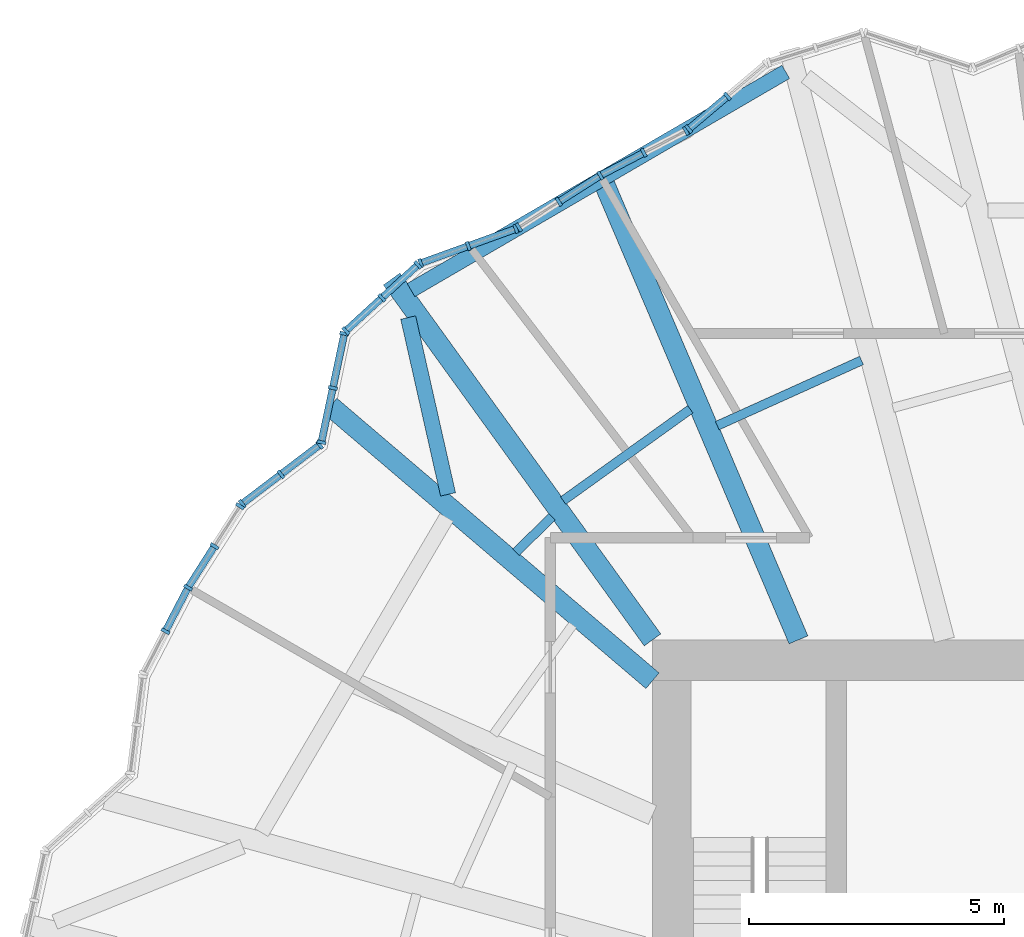
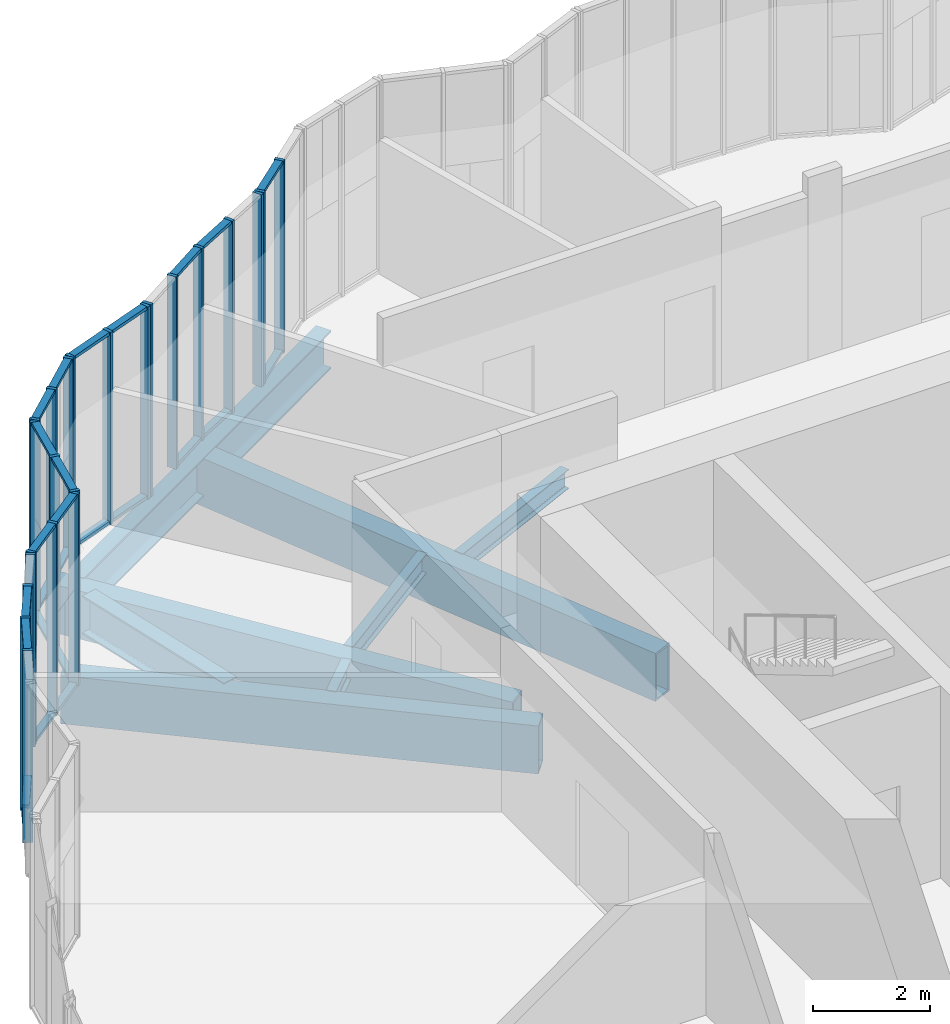
# One storey, part 7 of 23: 49 members, 8 beams, 9 elements without a shape of their own.
"""IFC4 building model written with IfcOpenShell, lengths in metres."""

from ifc_helpers import new_model, si_unit, direction, frame, origin, origin_2d, place, context, subcontext, project, spatial, rectangle, hollow_rectangle, i_section, extrude, material, material_profile, profile_set, type_object, element, aggregate, save


model = new_model("IFC4")

# Units and contexts
model_context = context("Model", 3, precision=1e-05, world=origin(), true_north=direction((0.0, 1.0)))
body_context = subcontext(model_context, "Body", "Model", "MODEL_VIEW")
ifc_project = project(units=[si_unit("LENGTHUNIT", "METRE"), si_unit("AREAUNIT", "SQUARE_METRE"), si_unit("VOLUMEUNIT", "CUBIC_METRE"), si_unit("PLANEANGLEUNIT", "RADIAN"), si_unit("MASSUNIT", "GRAM", prefix="KILO")], contexts=[model_context])

# Site, building, storey
site_placement = place(None, origin())
site = spatial("IfcSite", under=ifc_project, at=site_placement, CompositionType="ELEMENT")
building_placement = place(site_placement, origin())
building = spatial("IfcBuilding", under=site, at=building_placement, Name="Golbaran Civic Tower", CompositionType="ELEMENT")
storey_placement = place(building_placement, frame((0.0, 0.0, 33.0)))
storey = spatial("IfcBuildingStorey", under=building, at=storey_placement, Name="L07", CompositionType="ELEMENT", Elevation=33.0)

# Beams
ifc_material_1 = material(Name="Steel S355", Category="steel")
ifc_material_profile_1 = material_profile(ifc_material_1, i_section(OverallWidth=0.300048828125, OverallDepth=0.800048828125, WebThickness=0.017578125, FlangeThickness=0.032958984375, FilletRadius=0.030029296875, at=origin_2d()), Name="HEB 800")
ifc_profile_set_1 = profile_set([ifc_material_profile_1], Name="Steel S355")
beam_type_1 = type_object("IfcBeamType", Name="EDGE BEAM HEB 800", PredefinedType="BEAM", material=ifc_profile_set_1)
beam_1_placement = place(storey_placement, frame((-7.3916015625, 21.119873046875, -0.60009765625), z_axis=(-0.864129155703, -0.503270108653, 0.0), x_axis=(0.503270108653, -0.864129155703, 0.0)))
element("IfcBeam", 1, at=beam_1_placement, inside=storey, type_object=beam_type_1, Name="Edge beam 108.64 L07", PredefinedType="BEAM", context=body_context, shape_type="SweptSolid", body=[
    extrude(i_section(OverallWidth=0.300048828125, OverallDepth=0.800048828125, WebThickness=0.017578125, FlangeThickness=0.032958984375, FilletRadius=0.030029296875, at=origin_2d()), origin(), (0.0, 0.0, 1.0), 8.489501953125),
])
beam_2_placement = place(storey_placement, frame((-14.783203125, 16.31005859375, -0.60009765625), z_axis=(0.219887083462, -0.975525330541, 0.0), x_axis=(0.975525330541, 0.219887083462, 0.0)))
element("IfcBeam", 2, at=beam_2_placement, inside=storey, type_object=beam_type_1, Name="Edge beam 131.36 L07", PredefinedType="BEAM", context=body_context, shape_type="SweptSolid", body=[
    extrude(i_section(OverallWidth=0.300048828125, OverallDepth=0.800048828125, WebThickness=0.017578125, FlangeThickness=0.032958984375, FilletRadius=0.030029296875, at=origin_2d()), origin(), (0.0, 0.0, 1.0), 3.548583984375),
])
ifc_material_profile_2 = material_profile(ifc_material_1, i_section(OverallWidth=0.179931640625, OverallDepth=0.39990234375, WebThickness=0.008544921875, FlangeThickness=0.013427734375, FilletRadius=0.02099609375, at=origin_2d()), Name="IPE 400")
ifc_profile_set_2 = profile_set([ifc_material_profile_2], Name="Steel S355")
beam_type_2 = type_object("IfcBeamType", Name="FLOOR INFILL BEAM IPE 400", PredefinedType="BEAM", material=ifc_profile_set_2)
beam_3_placement = place(storey_placement, frame((-5.908203125, 15.47021484375, -0.39990234375), z_axis=(-0.91125999693, -0.411831540798, 0.0), x_axis=(0.411831540798, -0.91125999693, 0.0)))
element("IfcBeam", 3, at=beam_3_placement, inside=storey, type_object=beam_type_2, Name="Infill beam 114.32 L07", PredefinedType="BEAM", context=body_context, shape_type="SweptSolid", body=[
    extrude(i_section(OverallWidth=0.179931640625, OverallDepth=0.39990234375, WebThickness=0.008544921875, FlangeThickness=0.013427734375, FilletRadius=0.02099609375, at=origin_2d()), origin(), (0.0, 0.0, 1.0), 3.099365234375),
])
beam_4_placement = place(storey_placement, frame((-9.260009765625, 14.514404296875, -0.39990234375), z_axis=(-0.812266627807, -0.583286315073, 0.0), x_axis=(0.583286315073, -0.812266627807, 0.0)))
element("IfcBeam", 4, at=beam_4_placement, inside=storey, type_object=beam_type_2, Name="Infill beam 125.68 L07", PredefinedType="BEAM", context=body_context, shape_type="SweptSolid", body=[
    extrude(i_section(OverallWidth=0.179931640625, OverallDepth=0.39990234375, WebThickness=0.008544921875, FlangeThickness=0.013427734375, FilletRadius=0.02099609375, at=origin_2d()), origin(), (0.0, 0.0, 1.0), 3.064208984375),
])
beam_5_placement = place(storey_placement, frame((-11.966796875, 12.413818359375, -0.39990234375), z_axis=(-0.70943741161, -0.704768443539, 0.0), x_axis=(0.704768443539, -0.70943741161, 0.0)))
element("IfcBeam", 5, at=beam_5_placement, inside=storey, type_object=beam_type_2, Name="Infill beam 134.81 L07", PredefinedType="BEAM", context=body_context, shape_type="SweptSolid", body=[
    extrude(i_section(OverallWidth=0.179931640625, OverallDepth=0.39990234375, WebThickness=0.008544921875, FlangeThickness=0.013427734375, FilletRadius=0.02099609375, at=origin_2d()), origin(), (0.0, 0.0, 1.0), 0.993408203125),
])

# Curtain wall, members
ifc_material_2 = material(Name="Aluminium and glass", Category="aluminium")
curtain_wall_type = type_object("IfcCurtainWallType", Name="INNER SKIN CURTAIN WALL", PredefinedType="NOTDEFINED", material=ifc_material_2)
curtain_wall_1_placement = place(storey_placement, origin())
curtain_wall_1 = element("IfcCurtainWall", 6, at=curtain_wall_1_placement, inside=storey, type_object=curtain_wall_type, Name="Inner skin L07 facet 23 CW1", ObjectType="INNER SKIN", PredefinedType="USERDEFINED")
ifc_material_3 = material(Name="Aluminium", Category="aluminium")
ifc_material_profile_3 = material_profile(ifc_material_3, rectangle(XDim=0.179931640625, YDim=0.06494140625, at=origin_2d()), Name="INNER SKIN CURTAIN WALL MULLION")
ifc_profile_set_3 = profile_set([ifc_material_profile_3], Name="Aluminium")
member_type_1 = type_object("IfcMemberType", Name="INNER SKIN CURTAIN WALL MULLION", PredefinedType="MULLION", material=ifc_profile_set_3)
member_1_placement = place(storey_placement, frame((-8.5341796875, 20.638916015625, 0.0), z_axis=(0.0, 0.0, 1.0), x_axis=(0.644395385113, -0.764692479135, 0.0)))
member_1 = element("IfcMember", 7, at=member_1_placement, type_object=member_type_1, Name="CW1 mullion 2", PredefinedType="MULLION", context=body_context, shape_type="SweptSolid", body=[
    extrude(rectangle(XDim=0.179931640625, YDim=0.06494140625, at=origin_2d()), origin(), (0.0, 0.0, 1.0), 4.0),
])
member_2_placement = place(storey_placement, frame((-9.291748046875, 20.00048828125, 0.0), z_axis=(0.0, 0.0, 1.0), x_axis=(0.644395385113, -0.764692479135, 0.0)))
member_2 = element("IfcMember", 8, at=member_2_placement, type_object=member_type_1, Name="CW1 mullion 3", PredefinedType="MULLION", context=body_context, shape_type="SweptSolid", body=[
    extrude(rectangle(XDim=0.179931640625, YDim=0.06494140625, at=origin_2d()), origin(), (0.0, 0.0, 1.0), 4.0),
])

curtain_wall_2_placement = place(storey_placement, origin())
curtain_wall_2 = element("IfcCurtainWall", 9, at=curtain_wall_2_placement, inside=storey, type_object=curtain_wall_type, Name="Inner skin L07 facet 24 CW1", ObjectType="INNER SKIN", PredefinedType="USERDEFINED")
member_3_placement = place(storey_placement, frame((-9.345458984375, 19.964599609375, 0.0), z_axis=(0.0, 0.0, 1.0), x_axis=(0.461748613297, -0.887010833146, 0.0)))
member_3 = element("IfcMember", 10, at=member_3_placement, type_object=member_type_1, Name="CW1 mullion 1", PredefinedType="MULLION", context=body_context, shape_type="SweptSolid", body=[
    extrude(rectangle(XDim=0.179931640625, YDim=0.06494140625, at=origin_2d()), origin(), (0.0, 0.0, 1.0), 4.0),
])
member_4_placement = place(storey_placement, frame((-10.169677734375, 19.53564453125, 0.0), z_axis=(0.0, 0.0, 1.0), x_axis=(0.461748613297, -0.887010833146, 0.0)))
member_4 = element("IfcMember", 11, at=member_4_placement, type_object=member_type_1, Name="CW1 mullion 2", PredefinedType="MULLION", context=body_context, shape_type="SweptSolid", body=[
    extrude(rectangle(XDim=0.179931640625, YDim=0.06494140625, at=origin_2d()), origin(), (0.0, 0.0, 1.0), 4.0),
])
member_5_placement = place(storey_placement, frame((-11.0224609375, 19.091552734375, 0.0), z_axis=(0.0, 0.0, 1.0), x_axis=(0.499999999955, -0.866025403811, 0.0)))
member_5 = element("IfcMember", 12, at=member_5_placement, type_object=member_type_1, Name="CW1 mullion 3", PredefinedType="MULLION", context=body_context, shape_type="SweptSolid", body=[
    extrude(rectangle(XDim=0.179931640625, YDim=0.06494140625, at=origin_2d()), origin(), (0.0, 0.0, 1.0), 4.0),
])

curtain_wall_3_placement = place(storey_placement, origin())
curtain_wall_3 = element("IfcCurtainWall", 13, at=curtain_wall_3_placement, inside=storey, type_object=curtain_wall_type, Name="Inner skin L07 facet 25 CW1", ObjectType="INNER SKIN", PredefinedType="USERDEFINED")
member_6_placement = place(storey_placement, frame((-11.83349609375, 18.574951171875, 0.0), z_axis=(0.0, 0.0, 1.0), x_axis=(0.537299608406, -0.843391445775, 0.0)))
member_6 = element("IfcMember", 14, at=member_6_placement, type_object=member_type_1, Name="CW1 mullion 2", PredefinedType="MULLION", context=body_context, shape_type="SweptSolid", body=[
    extrude(rectangle(XDim=0.179931640625, YDim=0.06494140625, at=origin_2d()), origin(), (0.0, 0.0, 1.0), 4.0),
])
member_7_placement = place(storey_placement, frame((-12.6171875, 18.07568359375, 0.0), z_axis=(0.0, 0.0, 1.0), x_axis=(0.537299608406, -0.843391445775, 0.0)))
member_7 = element("IfcMember", 15, at=member_7_placement, type_object=member_type_1, Name="CW1 mullion 3", PredefinedType="MULLION", context=body_context, shape_type="SweptSolid", body=[
    extrude(rectangle(XDim=0.179931640625, YDim=0.06494140625, at=origin_2d()), origin(), (0.0, 0.0, 1.0), 4.0),
])

curtain_wall_4_placement = place(storey_placement, origin())
curtain_wall_4 = element("IfcCurtainWall", 16, at=curtain_wall_4_placement, inside=storey, type_object=curtain_wall_type, Name="Inner skin L07 facet 26 CW1", ObjectType="INNER SKIN", PredefinedType="USERDEFINED")
member_8_placement = place(storey_placement, frame((-12.675048828125, 18.047119140625, 0.0), z_axis=(0.0, 0.0, 1.0), x_axis=(0.340045420228, -0.940409013239, 0.0)))
member_8 = element("IfcMember", 17, at=member_8_placement, type_object=member_type_1, Name="CW1 mullion 1", PredefinedType="MULLION", context=body_context, shape_type="SweptSolid", body=[
    extrude(rectangle(XDim=0.179931640625, YDim=0.06494140625, at=origin_2d()), origin(), (0.0, 0.0, 1.0), 4.0),
])
member_9_placement = place(storey_placement, frame((-13.606689453125, 17.710205078125, 0.0), z_axis=(0.0, 0.0, 1.0), x_axis=(0.340045420228, -0.940409013239, 0.0)))
member_9 = element("IfcMember", 18, at=member_9_placement, type_object=member_type_1, Name="CW1 mullion 2", PredefinedType="MULLION", context=body_context, shape_type="SweptSolid", body=[
    extrude(rectangle(XDim=0.179931640625, YDim=0.06494140625, at=origin_2d()), origin(), (0.0, 0.0, 1.0), 4.0),
])
member_10_placement = place(storey_placement, frame((-14.538330078125, 17.37353515625, 0.0), z_axis=(0.0, 0.0, 1.0), x_axis=(0.340045420228, -0.940409013239, 0.0)))
member_10 = element("IfcMember", 19, at=member_10_placement, type_object=member_type_1, Name="CW1 mullion 3", PredefinedType="MULLION", context=body_context, shape_type="SweptSolid", body=[
    extrude(rectangle(XDim=0.179931640625, YDim=0.06494140625, at=origin_2d()), origin(), (0.0, 0.0, 1.0), 4.0),
])

curtain_wall_5_placement = place(storey_placement, origin())
curtain_wall_5 = element("IfcCurtainWall", 20, at=curtain_wall_5_placement, inside=storey, type_object=curtain_wall_type, Name="Inner skin L07 facet 27 CW1", ObjectType="INNER SKIN", PredefinedType="USERDEFINED")
member_11_placement = place(storey_placement, frame((-14.5927734375, 17.34033203125, 0.0), z_axis=(0.0, 0.0, 1.0), x_axis=(0.675590207436, -0.737277336975, 0.0)))
member_11 = element("IfcMember", 21, at=member_11_placement, type_object=member_type_1, Name="CW1 mullion 1", PredefinedType="MULLION", context=body_context, shape_type="SweptSolid", body=[
    extrude(rectangle(XDim=0.179931640625, YDim=0.06494140625, at=origin_2d()), origin(), (0.0, 0.0, 1.0), 4.0),
])
member_12_placement = place(storey_placement, frame((-15.297607421875, 16.694580078125, 0.0), z_axis=(0.0, 0.0, 1.0), x_axis=(0.675590207436, -0.737277336975, 0.0)))
member_12 = element("IfcMember", 22, at=member_12_placement, type_object=member_type_1, Name="CW1 mullion 2", PredefinedType="MULLION", context=body_context, shape_type="SweptSolid", body=[
    extrude(rectangle(XDim=0.179931640625, YDim=0.06494140625, at=origin_2d()), origin(), (0.0, 0.0, 1.0), 4.0),
])
member_13_placement = place(storey_placement, frame((-16.002685546875, 16.048583984375, 0.0), z_axis=(0.0, 0.0, 1.0), x_axis=(0.675590207436, -0.737277336975, 0.0)))
member_13 = element("IfcMember", 23, at=member_13_placement, type_object=member_type_1, Name="CW1 mullion 3", PredefinedType="MULLION", context=body_context, shape_type="SweptSolid", body=[
    extrude(rectangle(XDim=0.179931640625, YDim=0.06494140625, at=origin_2d()), origin(), (0.0, 0.0, 1.0), 4.0),
])

curtain_wall_6_placement = place(storey_placement, origin())
curtain_wall_6 = element("IfcCurtainWall", 24, at=curtain_wall_6_placement, inside=storey, type_object=curtain_wall_type, Name="Inner skin L07 facet 28 CW1", ObjectType="INNER SKIN", PredefinedType="USERDEFINED")
member_14_placement = place(storey_placement, frame((-16.033203125, 15.994873046875, 0.0), z_axis=(0.0, 0.0, 1.0), x_axis=(0.978345790501, -0.206977086194, 0.0)))
member_14 = element("IfcMember", 25, at=member_14_placement, type_object=member_type_1, Name="CW1 mullion 1", PredefinedType="MULLION", context=body_context, shape_type="SweptSolid", body=[
    extrude(rectangle(XDim=0.179931640625, YDim=0.06494140625, at=origin_2d()), origin(), (0.0, 0.0, 1.0), 4.0),
])
member_15_placement = place(storey_placement, frame((-16.25830078125, 14.931640625, 0.0), z_axis=(0.0, 0.0, 1.0), x_axis=(0.978345790501, -0.206977086194, 0.0)))
member_15 = element("IfcMember", 26, at=member_15_placement, type_object=member_type_1, Name="CW1 mullion 2", PredefinedType="MULLION", context=body_context, shape_type="SweptSolid", body=[
    extrude(rectangle(XDim=0.179931640625, YDim=0.06494140625, at=origin_2d()), origin(), (0.0, 0.0, 1.0), 4.0),
])
member_16_placement = place(storey_placement, frame((-16.483154296875, 13.868408203125, 0.0), z_axis=(0.0, 0.0, 1.0), x_axis=(0.978345790501, -0.206977086194, 0.0)))
member_16 = element("IfcMember", 27, at=member_16_placement, type_object=member_type_1, Name="CW1 mullion 3", PredefinedType="MULLION", context=body_context, shape_type="SweptSolid", body=[
    extrude(rectangle(XDim=0.179931640625, YDim=0.06494140625, at=origin_2d()), origin(), (0.0, 0.0, 1.0), 4.0),
])

curtain_wall_7_placement = place(storey_placement, origin())
curtain_wall_7 = element("IfcCurtainWall", 28, at=curtain_wall_7_placement, inside=storey, type_object=curtain_wall_type, Name="Inner skin L07 facet 29 CW1", ObjectType="INNER SKIN", PredefinedType="USERDEFINED")
member_17_placement = place(storey_placement, frame((-16.515625, 13.81689453125, 0.0), z_axis=(0.0, 0.0, 1.0), x_axis=(0.605153926324, -0.796108488496, 0.0)))
member_17 = element("IfcMember", 29, at=member_17_placement, type_object=member_type_1, Name="CW1 mullion 1", PredefinedType="MULLION", context=body_context, shape_type="SweptSolid", body=[
    extrude(rectangle(XDim=0.179931640625, YDim=0.06494140625, at=origin_2d()), origin(), (0.0, 0.0, 1.0), 4.0),
])
member_18_placement = place(storey_placement, frame((-17.27392578125, 13.240478515625, 0.0), z_axis=(0.0, 0.0, 1.0), x_axis=(0.605153926324, -0.796108488496, 0.0)))
member_18 = element("IfcMember", 30, at=member_18_placement, type_object=member_type_1, Name="CW1 mullion 2", PredefinedType="MULLION", context=body_context, shape_type="SweptSolid", body=[
    extrude(rectangle(XDim=0.179931640625, YDim=0.06494140625, at=origin_2d()), origin(), (0.0, 0.0, 1.0), 4.0),
])
member_19_placement = place(storey_placement, frame((-18.0322265625, 12.6640625, 0.0), z_axis=(0.0, 0.0, 1.0), x_axis=(0.605153926324, -0.796108488496, 0.0)))
member_19 = element("IfcMember", 31, at=member_19_placement, type_object=member_type_1, Name="CW1 mullion 3", PredefinedType="MULLION", context=body_context, shape_type="SweptSolid", body=[
    extrude(rectangle(XDim=0.179931640625, YDim=0.06494140625, at=origin_2d()), origin(), (0.0, 0.0, 1.0), 4.0),
])

curtain_wall_8_placement = place(storey_placement, origin())
curtain_wall_8 = element("IfcCurtainWall", 32, at=curtain_wall_8_placement, inside=storey, type_object=curtain_wall_type, Name="Inner skin L07 facet 30 CW1", ObjectType="INNER SKIN", PredefinedType="USERDEFINED")
member_20_placement = place(storey_placement, frame((-18.07568359375, 12.6171875, 0.0), z_axis=(0.0, 0.0, 1.0), x_axis=(0.843391445775, -0.537299608406, 0.0)))
member_20 = element("IfcMember", 33, at=member_20_placement, type_object=member_type_1, Name="CW1 mullion 1", PredefinedType="MULLION", context=body_context, shape_type="SweptSolid", body=[
    extrude(rectangle(XDim=0.179931640625, YDim=0.06494140625, at=origin_2d()), origin(), (0.0, 0.0, 1.0), 4.0),
])
member_21_placement = place(storey_placement, frame((-18.574951171875, 11.83349609375, 0.0), z_axis=(0.0, 0.0, 1.0), x_axis=(0.843391445775, -0.537299608406, 0.0)))
member_21 = element("IfcMember", 34, at=member_21_placement, type_object=member_type_1, Name="CW1 mullion 2", PredefinedType="MULLION", context=body_context, shape_type="SweptSolid", body=[
    extrude(rectangle(XDim=0.179931640625, YDim=0.06494140625, at=origin_2d()), origin(), (0.0, 0.0, 1.0), 4.0),
])
member_22_placement = place(storey_placement, frame((-19.091552734375, 11.0224609375, 0.0), z_axis=(0.0, 0.0, 1.0), x_axis=(0.866025403715, -0.500000000121, 0.0)))
member_22 = element("IfcMember", 35, at=member_22_placement, type_object=member_type_1, Name="CW1 mullion 3", PredefinedType="MULLION", context=body_context, shape_type="SweptSolid", body=[
    extrude(rectangle(XDim=0.179931640625, YDim=0.06494140625, at=origin_2d()), origin(), (0.0, 0.0, 1.0), 4.0),
])

# Curtain wall, member
curtain_wall_9_placement = place(storey_placement, origin())
curtain_wall_9 = element("IfcCurtainWall", 36, at=curtain_wall_9_placement, inside=storey, type_object=curtain_wall_type, Name="Inner skin L07 facet 31 CW1", ObjectType="INNER SKIN", PredefinedType="USERDEFINED")
member_23_placement = place(storey_placement, frame((-19.53564453125, 10.169677734375, 0.0), z_axis=(0.0, 0.0, 1.0), x_axis=(0.887010833146, -0.461748613297, 0.0)))
member_23 = element("IfcMember", 37, at=member_23_placement, type_object=member_type_1, Name="CW1 mullion 2", PredefinedType="MULLION", context=body_context, shape_type="SweptSolid", body=[
    extrude(rectangle(XDim=0.179931640625, YDim=0.06494140625, at=origin_2d()), origin(), (0.0, 0.0, 1.0), 4.0),
])

# Member
ifc_material_profile_4 = material_profile(ifc_material_3, rectangle(XDim=0.139892578125, YDim=0.06494140625, at=origin_2d()), Name="INNER SKIN CURTAIN WALL TRANSOM")
ifc_profile_set_4 = profile_set([ifc_material_profile_4], Name="Aluminium")
member_type_2 = type_object("IfcMemberType", Name="INNER SKIN CURTAIN WALL TRANSOM", PredefinedType="USERDEFINED", material=ifc_profile_set_4)
member_24_placement = place(storey_placement, frame((-8.55908203125, 20.617919921875, 0.032470703125), z_axis=(-0.76468542423, -0.644403756949, 0.0), x_axis=(0.644403756949, -0.76468542423, 0.0)))
member_24 = element("IfcMember", 38, at=member_24_placement, type_object=member_type_2, Name="CW1 transom 2.1", ObjectType="TRANSOM", PredefinedType="USERDEFINED", context=body_context, shape_type="SweptSolid", body=[
    extrude(rectangle(XDim=0.139892578125, YDim=0.06494140625, at=origin_2d()), origin(), (0.0, 0.0, 1.0), 0.925537109375),
])

member_25_placement = place(storey_placement, frame((-8.55908203125, 20.617919921875, 3.967529296875), z_axis=(-0.76468542423, -0.644403756949, 0.0), x_axis=(0.644403756949, -0.76468542423, 0.0)))
member_25 = element("IfcMember", 39, at=member_25_placement, type_object=member_type_2, Name="CW1 transom 2.2", ObjectType="TRANSOM", PredefinedType="USERDEFINED", context=body_context, shape_type="SweptSolid", body=[
    extrude(rectangle(XDim=0.139892578125, YDim=0.06494140625, at=origin_2d()), origin(), (0.0, 0.0, 1.0), 0.925537109375),
])

aggregate(curtain_wall_1, [member_1, member_2, member_24, member_25])

member_26_placement = place(storey_placement, frame((-10.198486328125, 19.5205078125, 0.032470703125), z_axis=(-0.886953595077, -0.461858549969, 0.0), x_axis=(0.461858549969, -0.886953595077, 0.0)))
member_26 = element("IfcMember", 40, at=member_26_placement, type_object=member_type_2, Name="CW1 transom 2.1", ObjectType="TRANSOM", PredefinedType="USERDEFINED", context=body_context, shape_type="SweptSolid", body=[
    extrude(rectangle(XDim=0.139892578125, YDim=0.06494140625, at=origin_2d()), origin(), (0.0, 0.0, 1.0), 0.896484375),
])

member_27_placement = place(storey_placement, frame((-10.198486328125, 19.5205078125, 3.967529296875), z_axis=(-0.886953595077, -0.461858549969, 0.0), x_axis=(0.461858549969, -0.886953595077, 0.0)))
member_27 = element("IfcMember", 41, at=member_27_placement, type_object=member_type_2, Name="CW1 transom 2.2", ObjectType="TRANSOM", PredefinedType="USERDEFINED", context=body_context, shape_type="SweptSolid", body=[
    extrude(rectangle(XDim=0.139892578125, YDim=0.06494140625, at=origin_2d()), origin(), (0.0, 0.0, 1.0), 0.896484375),
])

aggregate(curtain_wall_2, [member_3, member_4, member_5, member_26, member_27])

member_28_placement = place(storey_placement, frame((-11.0498046875, 19.073974609375, 0.032470703125), z_axis=(-0.843470850457, -0.537174947693, 0.0), x_axis=(0.537174947693, -0.843470850457, 0.0)))
member_28 = element("IfcMember", 42, at=member_28_placement, type_object=member_type_2, Name="CW1 transom 1.1", ObjectType="TRANSOM", PredefinedType="USERDEFINED", context=body_context, shape_type="SweptSolid", body=[
    extrude(rectangle(XDim=0.139892578125, YDim=0.06494140625, at=origin_2d()), origin(), (0.0, 0.0, 1.0), 0.896728515625),
])

member_29_placement = place(storey_placement, frame((-11.0498046875, 19.073974609375, 3.967529296875), z_axis=(-0.843470850457, -0.537174947693, 0.0), x_axis=(0.537174947693, -0.843470850457, 0.0)))
member_29 = element("IfcMember", 43, at=member_29_placement, type_object=member_type_2, Name="CW1 transom 1.2", ObjectType="TRANSOM", PredefinedType="USERDEFINED", context=body_context, shape_type="SweptSolid", body=[
    extrude(rectangle(XDim=0.139892578125, YDim=0.06494140625, at=origin_2d()), origin(), (0.0, 0.0, 1.0), 0.896728515625),
])

aggregate(curtain_wall_3, [member_6, member_7, member_28, member_29])

member_30_placement = place(storey_placement, frame((-12.70556640625, 18.0361328125, 0.032470703125), z_axis=(-0.940446201918, -0.339942555881, 0.0), x_axis=(0.339942555881, -0.940446201918, 0.0)))
member_30 = element("IfcMember", 44, at=member_30_placement, type_object=member_type_2, Name="CW1 transom 1.1", ObjectType="TRANSOM", PredefinedType="USERDEFINED", context=body_context, shape_type="SweptSolid", body=[
    extrude(rectangle(XDim=0.139892578125, YDim=0.06494140625, at=origin_2d()), origin(), (0.0, 0.0, 1.0), 0.92578125),
])

member_31_placement = place(storey_placement, frame((-12.70556640625, 18.0361328125, 3.967529296875), z_axis=(-0.940446201918, -0.339942555881, 0.0), x_axis=(0.339942555881, -0.940446201918, 0.0)))
member_31 = element("IfcMember", 45, at=member_31_placement, type_object=member_type_2, Name="CW1 transom 1.2", ObjectType="TRANSOM", PredefinedType="USERDEFINED", context=body_context, shape_type="SweptSolid", body=[
    extrude(rectangle(XDim=0.139892578125, YDim=0.06494140625, at=origin_2d()), origin(), (0.0, 0.0, 1.0), 0.92578125),
])

member_32_placement = place(storey_placement, frame((-13.63720703125, 17.69921875, 0.032470703125), z_axis=(-0.940415714174, -0.340026887958, 0.0), x_axis=(0.340026887958, -0.940415714174, 0.0)))
member_32 = element("IfcMember", 46, at=member_32_placement, type_object=member_type_2, Name="CW1 transom 2.1", ObjectType="TRANSOM", PredefinedType="USERDEFINED", context=body_context, shape_type="SweptSolid", body=[
    extrude(rectangle(XDim=0.139892578125, YDim=0.06494140625, at=origin_2d()), origin(), (0.0, 0.0, 1.0), 0.925537109375),
])

member_33_placement = place(storey_placement, frame((-13.63720703125, 17.69921875, 3.967529296875), z_axis=(-0.940415714174, -0.340026887958, 0.0), x_axis=(0.340026887958, -0.940415714174, 0.0)))
member_33 = element("IfcMember", 47, at=member_33_placement, type_object=member_type_2, Name="CW1 transom 2.2", ObjectType="TRANSOM", PredefinedType="USERDEFINED", context=body_context, shape_type="SweptSolid", body=[
    extrude(rectangle(XDim=0.139892578125, YDim=0.06494140625, at=origin_2d()), origin(), (0.0, 0.0, 1.0), 0.925537109375),
])

aggregate(curtain_wall_4, [member_8, member_9, member_10, member_30, member_31, member_32, member_33])

member_34_placement = place(storey_placement, frame((-14.61669921875, 17.318603515625, 0.032470703125), z_axis=(-0.737256483247, -0.675612964581, 0.0), x_axis=(0.675612964581, -0.737256483247, 0.0)))
member_34 = element("IfcMember", 48, at=member_34_placement, type_object=member_type_2, Name="CW1 transom 1.1", ObjectType="TRANSOM", PredefinedType="USERDEFINED", context=body_context, shape_type="SweptSolid", body=[
    extrude(rectangle(XDim=0.139892578125, YDim=0.06494140625, at=origin_2d()), origin(), (0.0, 0.0, 1.0), 0.89111328125),
])

member_35_placement = place(storey_placement, frame((-14.61669921875, 17.318603515625, 3.967529296875), z_axis=(-0.737256483247, -0.675612964581, 0.0), x_axis=(0.675612964581, -0.737256483247, 0.0)))
member_35 = element("IfcMember", 49, at=member_35_placement, type_object=member_type_2, Name="CW1 transom 1.2", ObjectType="TRANSOM", PredefinedType="USERDEFINED", context=body_context, shape_type="SweptSolid", body=[
    extrude(rectangle(XDim=0.139892578125, YDim=0.06494140625, at=origin_2d()), origin(), (0.0, 0.0, 1.0), 0.89111328125),
])

member_36_placement = place(storey_placement, frame((-15.321533203125, 16.672607421875, 0.032470703125), z_axis=(-0.737381500306, -0.675476515511, 0.0), x_axis=(0.675476515511, -0.737381500306, 0.0)))
member_36 = element("IfcMember", 50, at=member_36_placement, type_object=member_type_2, Name="CW1 transom 2.1", ObjectType="TRANSOM", PredefinedType="USERDEFINED", context=body_context, shape_type="SweptSolid", body=[
    extrude(rectangle(XDim=0.139892578125, YDim=0.06494140625, at=origin_2d()), origin(), (0.0, 0.0, 1.0), 0.891357421875),
])

member_37_placement = place(storey_placement, frame((-15.321533203125, 16.672607421875, 3.967529296875), z_axis=(-0.737381500306, -0.675476515511, 0.0), x_axis=(0.675476515511, -0.737381500306, 0.0)))
member_37 = element("IfcMember", 51, at=member_37_placement, type_object=member_type_2, Name="CW1 transom 2.2", ObjectType="TRANSOM", PredefinedType="USERDEFINED", context=body_context, shape_type="SweptSolid", body=[
    extrude(rectangle(XDim=0.139892578125, YDim=0.06494140625, at=origin_2d()), origin(), (0.0, 0.0, 1.0), 0.891357421875),
])

aggregate(curtain_wall_5, [member_11, member_12, member_13, member_34, member_35, member_36, member_37])

member_38_placement = place(storey_placement, frame((-16.0400390625, 15.962890625, 0.032470703125), z_axis=(-0.206949793481, -0.978351564101, 0.0), x_axis=(0.978351564101, -0.206949793481, 0.0)))
member_38 = element("IfcMember", 52, at=member_38_placement, type_object=member_type_2, Name="CW1 transom 1.1", ObjectType="TRANSOM", PredefinedType="USERDEFINED", context=body_context, shape_type="SweptSolid", body=[
    extrude(rectangle(XDim=0.139892578125, YDim=0.06494140625, at=origin_2d()), origin(), (0.0, 0.0, 1.0), 1.021728515625),
])

member_39_placement = place(storey_placement, frame((-16.0400390625, 15.962890625, 3.967529296875), z_axis=(-0.206949793481, -0.978351564101, 0.0), x_axis=(0.978351564101, -0.206949793481, 0.0)))
member_39 = element("IfcMember", 53, at=member_39_placement, type_object=member_type_2, Name="CW1 transom 1.2", ObjectType="TRANSOM", PredefinedType="USERDEFINED", context=body_context, shape_type="SweptSolid", body=[
    extrude(rectangle(XDim=0.139892578125, YDim=0.06494140625, at=origin_2d()), origin(), (0.0, 0.0, 1.0), 1.021728515625),
])

member_40_placement = place(storey_placement, frame((-16.264892578125, 14.89990234375, 0.032470703125), z_axis=(-0.20690141995, -0.978361795259, 0.0), x_axis=(0.978361795259, -0.20690141995, 0.0)))
member_40 = element("IfcMember", 54, at=member_40_placement, type_object=member_type_2, Name="CW1 transom 2.1", ObjectType="TRANSOM", PredefinedType="USERDEFINED", context=body_context, shape_type="SweptSolid", body=[
    extrude(rectangle(XDim=0.139892578125, YDim=0.06494140625, at=origin_2d()), origin(), (0.0, 0.0, 1.0), 1.02197265625),
])

member_41_placement = place(storey_placement, frame((-16.264892578125, 14.89990234375, 3.967529296875), z_axis=(-0.20690141995, -0.978361795259, 0.0), x_axis=(0.978361795259, -0.20690141995, 0.0)))
member_41 = element("IfcMember", 55, at=member_41_placement, type_object=member_type_2, Name="CW1 transom 2.2", ObjectType="TRANSOM", PredefinedType="USERDEFINED", context=body_context, shape_type="SweptSolid", body=[
    extrude(rectangle(XDim=0.139892578125, YDim=0.06494140625, at=origin_2d()), origin(), (0.0, 0.0, 1.0), 1.02197265625),
])

aggregate(curtain_wall_6, [member_14, member_15, member_16, member_38, member_39, member_40, member_41])

member_42_placement = place(storey_placement, frame((-16.54150390625, 13.79736328125, 0.032470703125), z_axis=(-0.79608797731, -0.605180908805, 0.0), x_axis=(0.605180908805, -0.79608797731, 0.0)))
member_42 = element("IfcMember", 56, at=member_42_placement, type_object=member_type_2, Name="CW1 transom 1.1", ObjectType="TRANSOM", PredefinedType="USERDEFINED", context=body_context, shape_type="SweptSolid", body=[
    extrude(rectangle(XDim=0.139892578125, YDim=0.06494140625, at=origin_2d()), origin(), (0.0, 0.0, 1.0), 0.887451171875),
])

member_43_placement = place(storey_placement, frame((-16.54150390625, 13.79736328125, 3.967529296875), z_axis=(-0.79608797731, -0.605180908805, 0.0), x_axis=(0.605180908805, -0.79608797731, 0.0)))
member_43 = element("IfcMember", 57, at=member_43_placement, type_object=member_type_2, Name="CW1 transom 1.2", ObjectType="TRANSOM", PredefinedType="USERDEFINED", context=body_context, shape_type="SweptSolid", body=[
    extrude(rectangle(XDim=0.139892578125, YDim=0.06494140625, at=origin_2d()), origin(), (0.0, 0.0, 1.0), 0.887451171875),
])

member_44_placement = place(storey_placement, frame((-17.2998046875, 13.220947265625, 0.032470703125), z_axis=(-0.79608797731, -0.605180908805, 0.0), x_axis=(0.605180908805, -0.79608797731, 0.0)))
member_44 = element("IfcMember", 58, at=member_44_placement, type_object=member_type_2, Name="CW1 transom 2.1", ObjectType="TRANSOM", PredefinedType="USERDEFINED", context=body_context, shape_type="SweptSolid", body=[
    extrude(rectangle(XDim=0.139892578125, YDim=0.06494140625, at=origin_2d()), origin(), (0.0, 0.0, 1.0), 0.887451171875),
])

member_45_placement = place(storey_placement, frame((-17.2998046875, 13.220947265625, 3.967529296875), z_axis=(-0.79608797731, -0.605180908805, 0.0), x_axis=(0.605180908805, -0.79608797731, 0.0)))
member_45 = element("IfcMember", 59, at=member_45_placement, type_object=member_type_2, Name="CW1 transom 2.2", ObjectType="TRANSOM", PredefinedType="USERDEFINED", context=body_context, shape_type="SweptSolid", body=[
    extrude(rectangle(XDim=0.139892578125, YDim=0.06494140625, at=origin_2d()), origin(), (0.0, 0.0, 1.0), 0.887451171875),
])

aggregate(curtain_wall_7, [member_17, member_18, member_19, member_42, member_43, member_44, member_45])

member_46_placement = place(storey_placement, frame((-18.59228515625, 11.80615234375, 0.032470703125), z_axis=(-0.537174947693, -0.843470850457, 0.0), x_axis=(0.843470850457, -0.537174947693, 0.0)))
member_46 = element("IfcMember", 60, at=member_46_placement, type_object=member_type_2, Name="CW1 transom 2.1", ObjectType="TRANSOM", PredefinedType="USERDEFINED", context=body_context, shape_type="SweptSolid", body=[
    extrude(rectangle(XDim=0.139892578125, YDim=0.06494140625, at=origin_2d()), origin(), (0.0, 0.0, 1.0), 0.896728515625),
])

member_47_placement = place(storey_placement, frame((-18.59228515625, 11.80615234375, 3.967529296875), z_axis=(-0.537174947693, -0.843470850457, 0.0), x_axis=(0.843470850457, -0.537174947693, 0.0)))
member_47 = element("IfcMember", 61, at=member_47_placement, type_object=member_type_2, Name="CW1 transom 2.2", ObjectType="TRANSOM", PredefinedType="USERDEFINED", context=body_context, shape_type="SweptSolid", body=[
    extrude(rectangle(XDim=0.139892578125, YDim=0.06494140625, at=origin_2d()), origin(), (0.0, 0.0, 1.0), 0.896728515625),
])

aggregate(curtain_wall_8, [member_20, member_21, member_22, member_46, member_47])

member_48_placement = place(storey_placement, frame((-19.1064453125, 10.99365234375, 0.032470703125), z_axis=(-0.461858549969, -0.886953595077, 0.0), x_axis=(0.886953595077, -0.461858549969, 0.0)))
member_48 = element("IfcMember", 62, at=member_48_placement, type_object=member_type_2, Name="CW1 transom 1.1", ObjectType="TRANSOM", PredefinedType="USERDEFINED", context=body_context, shape_type="SweptSolid", body=[
    extrude(rectangle(XDim=0.139892578125, YDim=0.06494140625, at=origin_2d()), origin(), (0.0, 0.0, 1.0), 0.896484375),
])

member_49_placement = place(storey_placement, frame((-19.1064453125, 10.99365234375, 3.967529296875), z_axis=(-0.461858549969, -0.886953595077, 0.0), x_axis=(0.886953595077, -0.461858549969, 0.0)))
member_49 = element("IfcMember", 63, at=member_49_placement, type_object=member_type_2, Name="CW1 transom 1.2", ObjectType="TRANSOM", PredefinedType="USERDEFINED", context=body_context, shape_type="SweptSolid", body=[
    extrude(rectangle(XDim=0.139892578125, YDim=0.06494140625, at=origin_2d()), origin(), (0.0, 0.0, 1.0), 0.896484375),
])

aggregate(curtain_wall_9, [member_23, member_48, member_49])

# Beams
ifc_material_profile_5 = material_profile(ifc_material_1, hollow_rectangle(XDim=0.39990234375, YDim=1.0, WallThickness=0.050048828125, at=origin_2d()), Name="BOX 1000x400x50")
ifc_profile_set_5 = profile_set([ifc_material_profile_5], Name="Steel S355")
beam_type_3 = type_object("IfcBeamType", Name="RADIAL FLOOR BEAM BOX 1000x400x50", PredefinedType="BEAM", material=ifc_profile_set_5)
beam_6_placement = place(storey_placement, frame((-10.0, 10.0, -0.7099609375), z_axis=(-0.585812641951, 0.810446511826, 0.0), x_axis=(-0.810446511826, -0.585812641951, 0.0)))
element("IfcBeam", 64, at=beam_6_placement, inside=storey, type_object=beam_type_3, Name="Radial beam 131.36 L07", PredefinedType="BEAM", context=body_context, shape_type="SweptSolid", body=[
    extrude(hollow_rectangle(XDim=0.39990234375, YDim=1.0, WallThickness=0.050048828125, at=origin_2d()), origin(), (0.0, 0.0, 1.0), 8.716552734375),
])
beam_7_placement = place(storey_placement, frame((-10.0, 9.199951171875, -0.7099609375), z_axis=(-0.761054184056, 0.648688314163, 0.0), x_axis=(-0.648688314163, -0.761054184056, 0.0)))
element("IfcBeam", 65, at=beam_7_placement, inside=storey, type_object=beam_type_3, Name="Radial beam 138.26 L07", PredefinedType="BEAM", context=body_context, shape_type="SweptSolid", body=[
    extrude(hollow_rectangle(XDim=0.39990234375, YDim=1.0, WallThickness=0.050048828125, at=origin_2d()), origin(), (0.0, 0.0, 1.0), 8.2890625),
])
ifc_material_profile_6 = material_profile(ifc_material_1, hollow_rectangle(XDim=0.39990234375, YDim=1.0, WallThickness=0.0400390625, at=origin_2d()), Name="BOX 1000x400x40")
ifc_profile_set_6 = profile_set([ifc_material_profile_6], Name="Steel S355")
beam_type_4 = type_object("IfcBeamType", Name="SECONDARY FLOOR BEAM BOX 1000x400x40", PredefinedType="BEAM", material=ifc_profile_set_6)
beam_8_placement = place(storey_placement, frame((-7.142822265625, 10.0, -0.7099609375), z_axis=(-0.391659612274, 0.920110182594, 0.0), x_axis=(-0.920110182594, -0.391659612274, 0.0)))
element("IfcBeam", 66, at=beam_8_placement, inside=storey, type_object=beam_type_4, Name="Secondary beam 120.00 L07", PredefinedType="BEAM", context=body_context, shape_type="SweptSolid", body=[
    extrude(hollow_rectangle(XDim=0.39990234375, YDim=1.0, WallThickness=0.0400390625, at=origin_2d()), origin(), (0.0, 0.0, 1.0), 9.810791015625),
])

save(model, "model.ifc")
